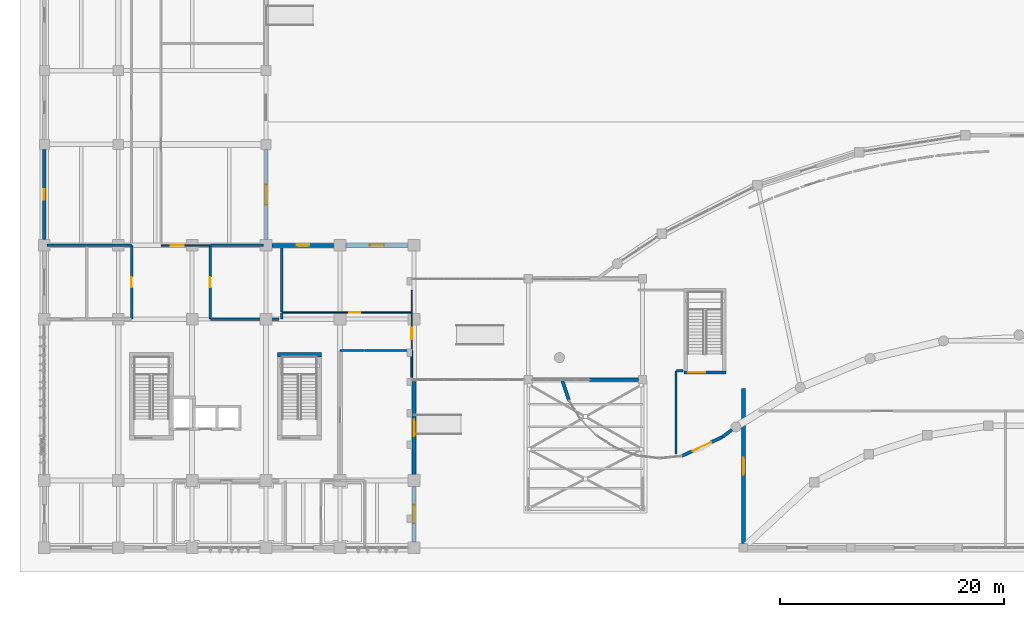
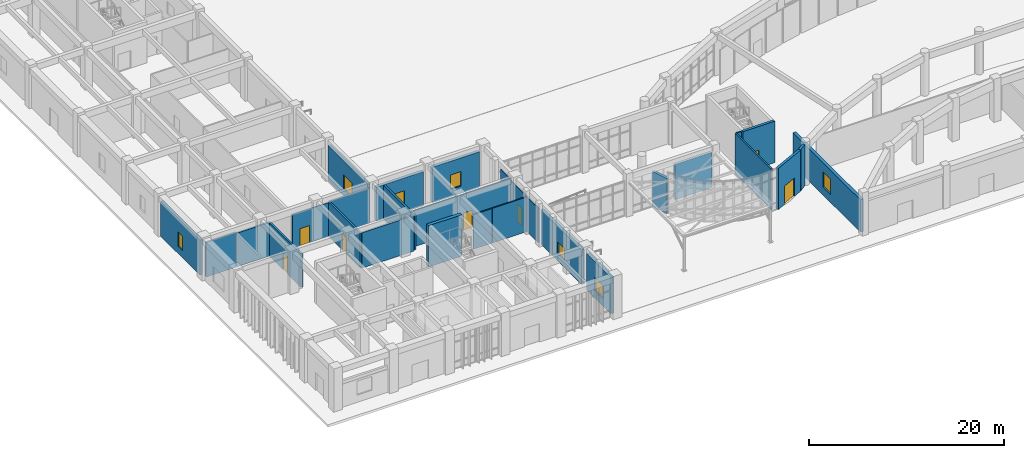
# One storey, part 49 of 70: 30 walls, 7 doors, 7 windows, 14 openings.
"""IFC4 building model written with IfcOpenShell, lengths in metres."""

from ifc_helpers import new_model, si_unit, direction, frame, frame_2d, origin, place, context, subcontext, project, spatial, rectangle, extrude, material, layer, layer_set, type_object, element, fill, save


model = new_model("IFC4")

# Units and contexts
model_context = context("Model", 3, precision=1e-05, world=origin(), true_north=direction((0.0, 1.0)))
body_context = subcontext(model_context, "Body", "Model", "MODEL_VIEW")
ifc_project = project(units=[si_unit("LENGTHUNIT", "METRE"), si_unit("AREAUNIT", "SQUARE_METRE"), si_unit("VOLUMEUNIT", "CUBIC_METRE"), si_unit("PLANEANGLEUNIT", "RADIAN"), si_unit("MASSUNIT", "GRAM", prefix="KILO")], contexts=[model_context])

# Site, building, storey
site_placement = place(None, origin())
site = spatial("IfcSite", under=ifc_project, at=site_placement, CompositionType="ELEMENT")
building_placement = place(site_placement, origin())
building = spatial("IfcBuilding", under=site, at=building_placement, Name="Miralva Faculty of Natural Sciences", CompositionType="ELEMENT")
storey_placement = place(building_placement, origin())
storey = spatial("IfcBuildingStorey", under=building, at=storey_placement, Name="L00", CompositionType="ELEMENT", Elevation=0.0)

# Wall
ifc_material_1 = material(Name="Concrete C50/60", Category="concrete")
ifc_layer_1 = layer(ifc_material_1, 0.39990234375, Name="WL-CW01")
ifc_layer_set_1 = layer_set([ifc_layer_1], Name="Concrete C50/60")
wall_type_1 = type_object("IfcWallType", Name="WL-CW01", PredefinedType="SHEAR", material=ifc_layer_set_1)
wall_1_placement = place(storey_placement, frame((23.800048828125, 20.25, 0.0), z_axis=(0.0, 0.0, 1.0), x_axis=(1.0, 0.0, 0.0)))
element("IfcWall", 1, at=wall_1_placement, inside=storey, type_object=wall_type_1, Name="Core C1B shear wall north L00", PredefinedType="SHEAR", context=body_context, shape_type="SweptSolid", body=[
    extrude(rectangle(XDim=3.949951171875, YDim=0.39990234375, at=frame_2d((1.97509765625, 0.0))), origin(), (0.0, 0.0, 1.0), 5.179931640625),
])

# Wall, opening, door
ifc_material_2 = material(Name="Concrete C40/50", Category="concrete")
ifc_layer_2 = layer(ifc_material_2, 0.300048828125, Name="WL-CW03")
ifc_layer_set_2 = layer_set([ifc_layer_2], Name="Concrete C40/50")
wall_type_2 = type_object("IfcWallType", Name="WL-CW03", PredefinedType="SHEAR", material=ifc_layer_set_2)
wall_2_placement = place(storey_placement, frame((60.10009765625, 18.64990234375, 0.0), z_axis=(0.0, 0.0, 1.0), x_axis=(1.0, 0.0, 0.0)))
wall_2 = element("IfcWall", 2, at=wall_2_placement, inside=storey, type_object=wall_type_2, Name="Core C6 shear wall south L00", PredefinedType="SHEAR", context=body_context, shape_type="SweptSolid", body=[
    extrude(rectangle(XDim=3.75, YDim=0.300048828125, at=frame_2d((1.875, 0.0))), origin(), (0.0, 0.0, 1.0), 5.179931640625),
])
opening_1_placement = place(wall_2_placement, frame((0.39990234375, 0.0, 0.0)))
opening_1 = element("IfcOpeningElement", 3, at=opening_1_placement, cuts=wall_2, Name="Opening D-11", PredefinedType="OPENING", context=body_context, shape_type="SweptSolid", body=[
    extrude(rectangle(XDim=1.5, YDim=2.199951171875, at=frame_2d((0.75, 1.10009765625))), frame((0.0, 0.159912109375, 0.0), z_axis=(0.0, -1.0, 0.0), x_axis=(1.0, 0.0, 0.0)), (0.0, 0.0, 1.0), 0.320068359375),
])
ifc_material_3 = material(Name="Galvanised steel", Category="steel")
door_type_1 = type_object("IfcDoorType", Name="DR-DI11", OperationType="DOUBLE_DOOR_SINGLE_SWING", PredefinedType="DOOR", material=ifc_material_3)
door_1_placement = place(opening_1_placement, frame((1.5, 0.0, 0.0), z_axis=(0.0, 0.0, 1.0), x_axis=(-1.0, 0.0, 0.0)))
door_1 = element("IfcDoor", 4, at=door_1_placement, inside=storey, type_object=door_type_1, Name="Protected exit stair door Core C6 L00", OperationType="DOUBLE_DOOR_SINGLE_SWING", OverallHeight=2.199951171875, OverallWidth=1.5, PredefinedType="DOOR", context=body_context, shape_type="SweptSolid", body=[
    extrude(rectangle(XDim=1.5, YDim=2.199951171875, at=frame_2d((0.75, 1.10009765625))), frame((0.0, 0.02490234375, 0.0), z_axis=(0.0, -1.0, 0.0), x_axis=(1.0, 0.0, 0.0)), (0.0, 0.0, 1.0), 0.050048828125),
])
fill(opening_1, door_1)

# Walls
ifc_material_4 = material(Name="Gypsum plasterboard")
ifc_layer_3 = layer(ifc_material_4, 0.179931640625, Name="WL-PT02")
ifc_layer_set_3 = layer_set([ifc_layer_3], Name="Gypsum plasterboard")
wall_type_3 = type_object("IfcWallType", Name="WL-PT02", PredefinedType="PARTITIONING", material=ifc_layer_set_3)
wall_3_placement = place(storey_placement, frame((59.39990234375, 11.382568359375, 0.0), z_axis=(0.0, 0.0, 1.0), x_axis=(0.0, 1.0, 0.0)))
element("IfcWall", 5, at=wall_3_placement, inside=storey, type_object=wall_type_3, Name="Interior partition PT-02 L00-67", PredefinedType="PARTITIONING", context=body_context, shape_type="SweptSolid", body=[
    extrude(rectangle(XDim=7.387451171875, YDim=0.179931640625, at=frame_2d((3.69384765625, 0.0))), origin(), (0.0, 0.0, 1.0), 5.080078125),
])
wall_4_placement = place(storey_placement, frame((59.429931640625, 18.800048828125, 0.0), z_axis=(0.0, 0.0, 1.0), x_axis=(1.0, 0.0, 0.0)))
element("IfcWall", 6, at=wall_4_placement, inside=storey, type_object=wall_type_3, Name="Interior partition PT-02 L00-68", PredefinedType="PARTITIONING", context=body_context, shape_type="SweptSolid", body=[
    extrude(rectangle(XDim=0.590087890625, YDim=0.179931640625, at=frame_2d((0.294921875, 0.0))), origin(), (0.0, 0.0, 1.0), 5.080078125),
])
ifc_layer_4 = layer(ifc_material_4, 0.159912109375, Name="WL-PT03")
ifc_layer_set_4 = layer_set([ifc_layer_4], Name="Gypsum plasterboard")
wall_type_4 = type_object("IfcWallType", Name="WL-PT03", PredefinedType="PARTITIONING", material=ifc_layer_set_4)
wall_5_placement = place(storey_placement, frame((29.429931640625, 20.60009765625, 0.0), z_axis=(0.0, 0.0, 1.0), x_axis=(1.0, 0.0, 0.0)))
element("IfcWall", 7, at=wall_5_placement, inside=storey, type_object=wall_type_4, Name="Interior partition PT-03 L00-46", PredefinedType="PARTITIONING", context=body_context, shape_type="SweptSolid", body=[
    extrude(rectangle(XDim=2.14013671875, YDim=0.159912109375, at=frame_2d((1.070068359375, 0.0))), origin(), (0.0, 0.0, 1.0), 4.324951171875),
])
wall_6_placement = place(storey_placement, frame((31.6298828125, 20.60009765625, 0.0), z_axis=(0.0, 0.0, 1.0), x_axis=(1.0, 0.0, 0.0)))
element("IfcWall", 8, at=wall_6_placement, inside=storey, type_object=wall_type_4, Name="Interior partition PT-03 L00-47", PredefinedType="PARTITIONING", context=body_context, shape_type="SweptSolid", body=[
    extrude(rectangle(XDim=4.14013671875, YDim=0.159912109375, at=frame_2d((2.070068359375, 0.0))), origin(), (0.0, 0.0, 1.0), 4.324951171875),
])
wall_7_placement = place(storey_placement, frame((35.800048828125, 18.22998046875, 0.0), z_axis=(0.0, 0.0, 1.0), x_axis=(0.0, 1.0, 0.0)))
element("IfcWall", 9, at=wall_7_placement, inside=storey, type_object=wall_type_4, Name="Interior partition PT-03 L00-48", PredefinedType="PARTITIONING", context=body_context, shape_type="SweptSolid", body=[
    extrude(rectangle(XDim=2.340087890625, YDim=0.159912109375, at=frame_2d((1.169921875, 0.0))), origin(), (0.0, 0.0, 1.0), 4.324951171875),
])

# Wall, opening, door
ifc_layer_5 = layer(ifc_material_4, 0.139892578125, Name="WL-PT04")
ifc_layer_set_5 = layer_set([ifc_layer_5], Name="Gypsum plasterboard")
wall_type_5 = type_object("IfcWallType", Name="WL-PT04", PredefinedType="PARTITIONING", material=ifc_layer_set_5)
wall_8_placement = place(storey_placement, frame((13.429931640625, 30.0, 0.0), z_axis=(0.0, 0.0, 1.0), x_axis=(1.0, 0.0, 0.0)))
wall_8 = element("IfcWall", 10, at=wall_8_placement, inside=storey, type_object=wall_type_5, Name="Interior partition PT-04 L00-63", PredefinedType="PARTITIONING", context=body_context, shape_type="SweptSolid", body=[
    extrude(rectangle(XDim=4.340087890625, YDim=0.139892578125, at=frame_2d((2.169921875, 0.0))), origin(), (0.0, 0.0, 1.0), 4.215087890625),
])
opening_2_placement = place(wall_8_placement, frame((0.875, 0.0, 0.0)))
opening_2 = element("IfcOpeningElement", 11, at=opening_2_placement, cuts=wall_8, Name="Opening D-24", PredefinedType="OPENING", context=body_context, shape_type="SweptSolid", body=[
    extrude(rectangle(XDim=1.14990234375, YDim=2.14990234375, at=frame_2d((0.574951171875, 1.074951171875))), frame((0.0, 0.079833984375, 0.0), z_axis=(0.0, -1.0, 0.0), x_axis=(1.0, 0.0, 0.0)), (0.0, 0.0, 1.0), 0.159912109375),
])
ifc_material_5 = material(Name="Anodised aluminium", Category="aluminium")
door_type_2 = type_object("IfcDoorType", Name="DR-DI24", OperationType="NOTDEFINED", PredefinedType="DOOR", material=ifc_material_5)
door_2_placement = place(opening_2_placement, origin())
door_2 = element("IfcDoor", 12, at=door_2_placement, inside=storey, type_object=door_type_2, Name="Interior door D-24 L00-27", OperationType="SINGLE_SWING_RIGHT", OverallHeight=2.14990234375, OverallWidth=1.14990234375, PredefinedType="DOOR", context=body_context, shape_type="SweptSolid", body=[
    extrude(rectangle(XDim=1.14990234375, YDim=2.14990234375, at=frame_2d((0.574951171875, 1.074951171875))), frame((0.0, 0.02490234375, 0.0), z_axis=(0.0, -1.0, 0.0), x_axis=(1.0, 0.0, 0.0)), (0.0, 0.0, 1.0), 0.050048828125),
])
fill(opening_2, door_2)

ifc_layer_6 = layer(ifc_material_4, 0.125, Name="WL-PT05")
ifc_layer_set_6 = layer_set([ifc_layer_6], Name="Gypsum plasterboard")
wall_type_6 = type_object("IfcWallType", Name="WL-PT05", PredefinedType="PARTITIONING", material=ifc_layer_set_6)
wall_9_placement = place(storey_placement, frame((24.22998046875, 24.0, 0.0), z_axis=(0.0, 0.0, 1.0), x_axis=(1.0, 0.0, 0.0)))
wall_9 = element("IfcWall", 13, at=wall_9_placement, inside=storey, type_object=wall_type_6, Name="Interior partition PT-05 L00-60", PredefinedType="PARTITIONING", context=body_context, shape_type="SweptSolid", body=[
    extrude(rectangle(XDim=11.5400390625, YDim=0.125, at=frame_2d((5.77001953125, 0.0))), origin(), (0.0, 0.0, 1.0), 4.5048828125),
])
opening_3_placement = place(wall_9_placement, frame((5.989990234375, 0.0, 0.0)))
opening_3 = element("IfcOpeningElement", 14, at=opening_3_placement, cuts=wall_9, Name="Opening D-25", PredefinedType="OPENING", context=body_context, shape_type="SweptSolid", body=[
    extrude(rectangle(XDim=1.0, YDim=2.14990234375, at=frame_2d((0.5, 1.074951171875))), frame((0.0, 0.072509765625, 0.0), z_axis=(0.0, -1.0, 0.0), x_axis=(1.0, 0.0, 0.0)), (0.0, 0.0, 1.0), 0.14501953125),
])
door_type_3 = type_object("IfcDoorType", Name="DR-DI25", OperationType="NOTDEFINED", PredefinedType="DOOR", material=ifc_material_5)
door_3_placement = place(opening_3_placement, origin())
door_3 = element("IfcDoor", 15, at=door_3_placement, inside=storey, type_object=door_type_3, Name="Interior door D-25 L00-25", OperationType="SINGLE_SWING_RIGHT", OverallHeight=2.14990234375, OverallWidth=1.0, PredefinedType="DOOR", context=body_context, shape_type="SweptSolid", body=[
    extrude(rectangle(XDim=1.0, YDim=2.14990234375, at=frame_2d((0.5, 1.074951171875))), frame((0.0, 0.02490234375, 0.0), z_axis=(0.0, -1.0, 0.0), x_axis=(1.0, 0.0, 0.0)), (0.0, 0.0, 1.0), 0.050048828125),
])
fill(opening_3, door_3)

# Wall
wall_10_placement = place(storey_placement, frame((35.800048828125, 24.030029296875, 0.0), z_axis=(0.0, 0.0, 1.0), x_axis=(0.0, 1.0, 0.0)))
element("IfcWall", 16, at=wall_10_placement, inside=storey, type_object=wall_type_6, Name="Interior partition PT-05 L00-61", PredefinedType="PARTITIONING", context=body_context, shape_type="SweptSolid", body=[
    extrude(rectangle(XDim=1.93994140625, YDim=0.125, at=frame_2d((0.969970703125, 0.0))), origin(), (0.0, 0.0, 1.0), 4.5048828125),
])

# Wall, opening, door
wall_11_placement = place(storey_placement, frame((35.800048828125, 20.6298828125, 0.0), z_axis=(0.0, 0.0, 1.0), x_axis=(0.0, 1.0, 0.0)))
wall_11 = element("IfcWall", 17, at=wall_11_placement, inside=storey, type_object=wall_type_6, Name="Interior partition PT-05 L00-62", PredefinedType="PARTITIONING", context=body_context, shape_type="SweptSolid", body=[
    extrude(rectangle(XDim=3.340087890625, YDim=0.125, at=frame_2d((1.669921875, 0.0))), origin(), (0.0, 0.0, 1.0), 4.324951171875),
])
opening_4_placement = place(wall_11_placement, frame((0.989990234375, 0.0, 0.0)))
opening_4 = element("IfcOpeningElement", 18, at=opening_4_placement, cuts=wall_11, Name="Opening D-25", PredefinedType="OPENING", context=body_context, shape_type="SweptSolid", body=[
    extrude(rectangle(XDim=1.0, YDim=2.14990234375, at=frame_2d((0.5, 1.074951171875))), frame((0.0, 0.072509765625, 0.0), z_axis=(0.0, -1.0, 0.0), x_axis=(1.0, 0.0, 0.0)), (0.0, 0.0, 1.0), 0.14501953125),
])
door_4_placement = place(opening_4_placement, origin())
door_4 = element("IfcDoor", 19, at=door_4_placement, inside=storey, type_object=door_type_3, Name="Interior door D-25 L00-26", OperationType="SINGLE_SWING_LEFT", OverallHeight=2.14990234375, OverallWidth=1.0, PredefinedType="DOOR", context=body_context, shape_type="SweptSolid", body=[
    extrude(rectangle(XDim=1.0, YDim=2.14990234375, at=frame_2d((0.5, 1.074951171875))), frame((0.0, 0.02490234375, 0.0), z_axis=(0.0, -1.0, 0.0), x_axis=(1.0, 0.0, 0.0)), (0.0, 0.0, 1.0), 0.050048828125),
])
fill(opening_4, door_4)

# Wall
ifc_layer_7 = layer(ifc_material_4, 0.2099609375, Name="WL-PT06")
ifc_layer_set_7 = layer_set([ifc_layer_7], Name="Gypsum plasterboard")
wall_type_7 = type_object("IfcWallType", Name="WL-PT06", PredefinedType="PLUMBINGWALL", material=ifc_layer_set_7)
wall_12_placement = place(storey_placement, frame((3.22998046875, 30.0, 0.0), z_axis=(0.0, 0.0, 1.0), x_axis=(1.0, 0.0, 0.0)))
element("IfcWall", 20, at=wall_12_placement, inside=storey, type_object=wall_type_7, Name="Interior partition PT-06 L00-51", PredefinedType="PLUMBINGWALL", context=body_context, shape_type="SweptSolid", body=[
    extrude(rectangle(XDim=3.5400390625, YDim=0.2099609375, at=frame_2d((1.77001953125, 0.0))), origin(), (0.0, 0.0, 1.0), 4.324951171875),
])

# Wall, opening, door
wall_13_placement = place(storey_placement, frame((10.800048828125, 23.429931640625, 0.0), z_axis=(0.0, 0.0, 1.0), x_axis=(0.0, 1.0, 0.0)))
wall_13 = element("IfcWall", 21, at=wall_13_placement, inside=storey, type_object=wall_type_7, Name="Interior partition PT-06 L00-53", PredefinedType="PLUMBINGWALL", context=body_context, shape_type="SweptSolid", body=[
    extrude(rectangle(XDim=6.5400390625, YDim=0.2099609375, at=frame_2d((3.27001953125, 0.0))), origin(), (0.0, 0.0, 1.0), 4.215087890625),
])
opening_5_placement = place(wall_13_placement, frame((2.81005859375, 0.0, 0.0)))
opening_5 = element("IfcOpeningElement", 22, at=opening_5_placement, cuts=wall_13, Name="Opening D-27", PredefinedType="OPENING", context=body_context, shape_type="SweptSolid", body=[
    extrude(rectangle(XDim=0.919921875, YDim=2.10009765625, at=frame_2d((0.4599609375, 1.050048828125))), frame((0.0, 0.114990234375, 0.0), z_axis=(0.0, -1.0, 0.0), x_axis=(1.0, 0.0, 0.0)), (0.0, 0.0, 1.0), 0.22998046875),
])
door_type_4 = type_object("IfcDoorType", Name="DR-DI27", OperationType="NOTDEFINED", PredefinedType="DOOR", material=ifc_material_5)
door_5_placement = place(opening_5_placement, origin())
door_5 = element("IfcDoor", 23, at=door_5_placement, inside=storey, type_object=door_type_4, Name="Interior door D-27 L00-23", OperationType="SINGLE_SWING_RIGHT", OverallHeight=2.10009765625, OverallWidth=0.919921875, PredefinedType="DOOR", context=body_context, shape_type="SweptSolid", body=[
    extrude(rectangle(XDim=0.919921875, YDim=2.10009765625, at=frame_2d((0.4599609375, 1.050048828125))), frame((0.0, 0.02490234375, 0.0), z_axis=(0.0, -1.0, 0.0), x_axis=(1.0, 0.0, 0.0)), (0.0, 0.0, 1.0), 0.050048828125),
])
fill(opening_5, door_5)

# Walls
wall_14_placement = place(storey_placement, frame((6.830078125, 30.0, 0.0), z_axis=(0.0, 0.0, 1.0), x_axis=(1.0, 0.0, 0.0)))
element("IfcWall", 24, at=wall_14_placement, inside=storey, type_object=wall_type_7, Name="Interior partition PT-06 L00-54", PredefinedType="PLUMBINGWALL", context=body_context, shape_type="SweptSolid", body=[
    extrude(rectangle(XDim=3.93994140625, YDim=0.2099609375, at=frame_2d((1.969970703125, 0.0))), origin(), (0.0, 0.0, 1.0), 4.215087890625),
])
wall_15_placement = place(storey_placement, frame((24.199951171875, 24.030029296875, 0.0), z_axis=(0.0, 0.0, 1.0), x_axis=(0.0, 1.0, 0.0)))
element("IfcWall", 25, at=wall_15_placement, inside=storey, type_object=wall_type_7, Name="Interior partition PT-06 L00-55", PredefinedType="PLUMBINGWALL", context=body_context, shape_type="SweptSolid", body=[
    extrude(rectangle(XDim=5.739990234375, YDim=0.2099609375, at=frame_2d((2.8701171875, 0.0))), origin(), (0.0, 0.0, 1.0), 4.2548828125),
])
wall_16_placement = place(storey_placement, frame((24.199951171875, 23.429931640625, 0.0), z_axis=(0.0, 0.0, 1.0), x_axis=(0.0, 1.0, 0.0)))
element("IfcWall", 26, at=wall_16_placement, inside=storey, type_object=wall_type_7, Name="Interior partition PT-06 L00-56", PredefinedType="PLUMBINGWALL", context=body_context, shape_type="SweptSolid", body=[
    extrude(rectangle(XDim=0.5400390625, YDim=0.2099609375, at=frame_2d((0.27001953125, 0.0))), origin(), (0.0, 0.0, 1.0), 4.425048828125),
])

# Wall, opening, door
wall_17_placement = place(storey_placement, frame((17.800048828125, 23.429931640625, 0.0), z_axis=(0.0, 0.0, 1.0), x_axis=(0.0, 1.0, 0.0)))
wall_17 = element("IfcWall", 27, at=wall_17_placement, inside=storey, type_object=wall_type_7, Name="Interior partition PT-06 L00-57", PredefinedType="PLUMBINGWALL", context=body_context, shape_type="SweptSolid", body=[
    extrude(rectangle(XDim=6.5400390625, YDim=0.2099609375, at=frame_2d((3.27001953125, 0.0))), origin(), (0.0, 0.0, 1.0), 4.324951171875),
])
opening_6_placement = place(wall_17_placement, frame((2.81005859375, 0.0, 0.0)))
opening_6 = element("IfcOpeningElement", 28, at=opening_6_placement, cuts=wall_17, Name="Opening D-27", PredefinedType="OPENING", context=body_context, shape_type="SweptSolid", body=[
    extrude(rectangle(XDim=0.919921875, YDim=2.10009765625, at=frame_2d((0.4599609375, 1.050048828125))), frame((0.0, 0.114990234375, 0.0), z_axis=(0.0, -1.0, 0.0), x_axis=(1.0, 0.0, 0.0)), (0.0, 0.0, 1.0), 0.22998046875),
])
door_6_placement = place(opening_6_placement, origin())
door_6 = element("IfcDoor", 29, at=door_6_placement, inside=storey, type_object=door_type_4, Name="Interior door D-27 L00-24", OperationType="SINGLE_SWING_LEFT", OverallHeight=2.10009765625, OverallWidth=0.919921875, PredefinedType="DOOR", context=body_context, shape_type="SweptSolid", body=[
    extrude(rectangle(XDim=0.919921875, YDim=2.10009765625, at=frame_2d((0.4599609375, 1.050048828125))), frame((0.0, 0.02490234375, 0.0), z_axis=(0.0, -1.0, 0.0), x_axis=(1.0, 0.0, 0.0)), (0.0, 0.0, 1.0), 0.050048828125),
])
fill(opening_6, door_6)

# Walls
wall_18_placement = place(storey_placement, frame((17.830078125, 23.39990234375, 0.0), z_axis=(0.0, 0.0, 1.0), x_axis=(1.0, 0.0, 0.0)))
element("IfcWall", 30, at=wall_18_placement, inside=storey, type_object=wall_type_7, Name="Interior partition PT-06 L00-58", PredefinedType="PLUMBINGWALL", context=body_context, shape_type="SweptSolid", body=[
    extrude(rectangle(XDim=6.139892578125, YDim=0.2099609375, at=frame_2d((3.06982421875, 0.0))), origin(), (0.0, 0.0, 1.0), 4.425048828125),
])
wall_19_placement = place(storey_placement, frame((17.830078125, 30.0, 0.0), z_axis=(0.0, 0.0, 1.0), x_axis=(1.0, 0.0, 0.0)))
element("IfcWall", 31, at=wall_19_placement, inside=storey, type_object=wall_type_7, Name="Interior partition PT-06 L00-59", PredefinedType="PLUMBINGWALL", context=body_context, shape_type="SweptSolid", body=[
    extrude(rectangle(XDim=4.739990234375, YDim=0.2099609375, at=frame_2d((2.3701171875, 0.0))), origin(), (0.0, 0.0, 1.0), 4.324951171875),
])

# Wall, opening, window
ifc_material_6 = material(Name="Volcanic tuff architectural stone", Category="masonry")
ifc_layer_8 = layer(ifc_material_6, 0.360107421875, Name="WL-WT01")
ifc_layer_set_8 = layer_set([ifc_layer_8], Name="Volcanic tuff architectural stone")
wall_type_8 = type_object("IfcWallType", Name="WL-WT01", PredefinedType="SOLIDWALL", material=ifc_layer_set_8)
wall_20_placement = place(storey_placement, frame((65.39990234375, 3.364990234375, 0.0), z_axis=(0.0, 0.0, 1.0), x_axis=(0.0, 1.0, 0.0)))
wall_20 = element("IfcWall", 32, at=wall_20_placement, inside=storey, type_object=wall_type_8, Name="Exterior wall L00-57", PredefinedType="SOLIDWALL", context=body_context, shape_type="SweptSolid", body=[
    extrude(rectangle(XDim=13.8349609375, YDim=0.360107421875, at=frame_2d((6.91748046875, 0.0))), origin(), (0.0, 0.0, 1.0), 4.044921875),
])
opening_7_placement = place(wall_20_placement, frame((6.16748046875, 0.0, 1.0)))
opening_7 = element("IfcOpeningElement", 33, at=opening_7_placement, cuts=wall_20, Name="Opening W-06", PredefinedType="OPENING", context=body_context, shape_type="SweptSolid", body=[
    extrude(rectangle(XDim=1.5, YDim=1.89990234375, at=frame_2d((0.75, 0.949951171875))), frame((0.0, 0.18994140625, 0.0), z_axis=(0.0, -1.0, 0.0), x_axis=(1.0, 0.0, 0.0)), (0.0, 0.0, 1.0), 0.380126953125),
])
ifc_material_7 = material(Name="Laminated solar-control glass", Category="glass")
window_type_1 = type_object("IfcWindowType", Name="WN-W06", PartitioningType="DOUBLE_PANEL_VERTICAL", PredefinedType="WINDOW", material=ifc_material_7)
window_1_placement = place(opening_7_placement, origin())
window_1 = element("IfcWindow", 34, at=window_1_placement, inside=storey, type_object=window_type_1, Name="Window W-06 L00-6", OverallHeight=1.89990234375, OverallWidth=1.5, PartitioningType="DOUBLE_PANEL_VERTICAL", PredefinedType="WINDOW", context=body_context, shape_type="SweptSolid", body=[
    extrude(rectangle(XDim=1.5, YDim=1.89990234375, at=frame_2d((0.75, 0.949951171875))), frame((0.0, 0.030029296875, 0.0), z_axis=(0.0, -1.0, 0.0), x_axis=(1.0, 0.0, 0.0)), (0.0, 0.0, 1.0), 0.06005859375),
])
fill(opening_7, window_1)

wall_21_placement = place(storey_placement, frame((36.0, 3.5048828125, 0.0), z_axis=(0.0, 0.0, 1.0), x_axis=(0.0, 1.0, 0.0)))
wall_21 = element("IfcWall", 35, at=wall_21_placement, inside=storey, type_object=wall_type_8, Name="Exterior wall L00-66", PredefinedType="SOLIDWALL", context=body_context, shape_type="SweptSolid", body=[
    extrude(rectangle(XDim=4.980224609375, YDim=0.360107421875, at=frame_2d((2.490234375, 0.0))), origin(), (0.0, 0.0, 1.0), 4.52490234375),
])
opening_8_placement = place(wall_21_placement, frame((1.6650390625, 0.0, 0.89990234375)))
opening_8 = element("IfcOpeningElement", 36, at=opening_8_placement, cuts=wall_21, Name="Opening W-18", PredefinedType="OPENING", context=body_context, shape_type="SweptSolid", body=[
    extrude(rectangle(XDim=1.64990234375, YDim=1.64990234375, at=frame_2d((0.824951171875, 0.824951171875))), frame((0.0, 0.18994140625, 0.0), z_axis=(0.0, -1.0, 0.0), x_axis=(1.0, 0.0, 0.0)), (0.0, 0.0, 1.0), 0.380126953125),
])
window_type_2 = type_object("IfcWindowType", Name="WN-W18", PartitioningType="SINGLE_PANEL", PredefinedType="WINDOW", material=ifc_material_7)
window_2_placement = place(opening_8_placement, frame((1.64990234375, 0.0, 0.0), z_axis=(0.0, 0.0, 1.0), x_axis=(-1.0, 0.0, 0.0)))
window_2 = element("IfcWindow", 37, at=window_2_placement, inside=storey, type_object=window_type_2, Name="Window W-18 L00-12", OverallHeight=1.64990234375, OverallWidth=1.64990234375, PartitioningType="SINGLE_PANEL", PredefinedType="WINDOW", context=body_context, shape_type="SweptSolid", body=[
    extrude(rectangle(XDim=1.64990234375, YDim=1.64990234375, at=frame_2d((0.824951171875, 0.824951171875))), frame((0.0, 0.030029296875, 0.0), z_axis=(0.0, -1.0, 0.0), x_axis=(1.0, 0.0, 0.0)), (0.0, 0.0, 1.0), 0.06005859375),
])
fill(opening_8, window_2)

wall_22_placement = place(storey_placement, frame((36.0, 9.514892578125, 0.0), z_axis=(0.0, 0.0, 1.0), x_axis=(0.0, 1.0, 0.0)))
wall_22 = element("IfcWall", 38, at=wall_22_placement, inside=storey, type_object=wall_type_8, Name="Exterior wall L00-67", PredefinedType="SOLIDWALL", context=body_context, shape_type="SweptSolid", body=[
    extrude(rectangle(XDim=8.335205078125, YDim=0.360107421875, at=frame_2d((4.16748046875, 0.0))), origin(), (0.0, 0.0, 1.0), 4.324951171875),
])
opening_9_placement = place(wall_22_placement, frame((3.4423828125, 0.0, 0.89990234375)))
opening_9 = element("IfcOpeningElement", 39, at=opening_9_placement, cuts=wall_22, Name="Opening W-19", PredefinedType="OPENING", context=body_context, shape_type="SweptSolid", body=[
    extrude(rectangle(XDim=1.449951171875, YDim=1.5, at=frame_2d((0.72509765625, 0.75))), frame((0.0, 0.18994140625, 0.0), z_axis=(0.0, -1.0, 0.0), x_axis=(1.0, 0.0, 0.0)), (0.0, 0.0, 1.0), 0.380126953125),
])
window_type_3 = type_object("IfcWindowType", Name="WN-W19", PartitioningType="SINGLE_PANEL", PredefinedType="WINDOW", material=ifc_material_7)
window_3_placement = place(opening_9_placement, frame((1.449951171875, 0.0, 0.0), z_axis=(0.0, 0.0, 1.0), x_axis=(-1.0, 0.0, 0.0)))
window_3 = element("IfcWindow", 40, at=window_3_placement, inside=storey, type_object=window_type_3, Name="Window W-19 L00-13", OverallHeight=1.5, OverallWidth=1.449951171875, PartitioningType="SINGLE_PANEL", PredefinedType="WINDOW", context=body_context, shape_type="SweptSolid", body=[
    extrude(rectangle(XDim=1.449951171875, YDim=1.5, at=frame_2d((0.72509765625, 0.75))), frame((0.0, 0.030029296875, 0.0), z_axis=(0.0, -1.0, 0.0), x_axis=(1.0, 0.0, 0.0)), (0.0, 0.0, 1.0), 0.06005859375),
])
fill(opening_9, window_3)

wall_23_placement = place(storey_placement, frame((23.304931640625, 30.0, 0.0), z_axis=(0.0, 0.0, 1.0), x_axis=(1.0, 0.0, 0.0)))
wall_23 = element("IfcWall", 41, at=wall_23_placement, inside=storey, type_object=wall_type_8, Name="Exterior wall L00-68", PredefinedType="SOLIDWALL", context=body_context, shape_type="SweptSolid", body=[
    extrude(rectangle(XDim=5.580078125, YDim=0.360107421875, at=frame_2d((2.7900390625, 0.0))), origin(), (0.0, 0.0, 1.0), 4.2548828125),
])
opening_10_placement = place(wall_23_placement, frame((2.239990234375, 0.0, 0.89990234375)))
opening_10 = element("IfcOpeningElement", 42, at=opening_10_placement, cuts=wall_23, Name="Opening W-22", PredefinedType="OPENING", context=body_context, shape_type="SweptSolid", body=[
    extrude(rectangle(XDim=1.10009765625, YDim=1.75, at=frame_2d((0.550048828125, 0.875))), frame((0.0, 0.18994140625, 0.0), z_axis=(0.0, -1.0, 0.0), x_axis=(1.0, 0.0, 0.0)), (0.0, 0.0, 1.0), 0.380126953125),
])
window_type_4 = type_object("IfcWindowType", Name="WN-W22", PartitioningType="DOUBLE_PANEL_VERTICAL", PredefinedType="WINDOW", material=ifc_material_7)
window_4_placement = place(opening_10_placement, origin())
window_4 = element("IfcWindow", 43, at=window_4_placement, inside=storey, type_object=window_type_4, Name="Window W-22 L00-14", OverallHeight=1.75, OverallWidth=1.10009765625, PartitioningType="DOUBLE_PANEL_VERTICAL", PredefinedType="WINDOW", context=body_context, shape_type="SweptSolid", body=[
    extrude(rectangle(XDim=1.10009765625, YDim=1.75, at=frame_2d((0.550048828125, 0.875))), frame((0.0, 0.030029296875, 0.0), z_axis=(0.0, -1.0, 0.0), x_axis=(1.0, 0.0, 0.0)), (0.0, 0.0, 1.0), 0.06005859375),
])
fill(opening_10, window_4)

wall_24_placement = place(storey_placement, frame((29.905029296875, 30.0, 0.0), z_axis=(0.0, 0.0, 1.0), x_axis=(1.0, 0.0, 0.0)))
wall_24 = element("IfcWall", 44, at=wall_24_placement, inside=storey, type_object=wall_type_8, Name="Exterior wall L00-69", PredefinedType="SOLIDWALL", context=body_context, shape_type="SweptSolid", body=[
    extrude(rectangle(XDim=5.580078125, YDim=0.360107421875, at=frame_2d((2.7900390625, 0.0))), origin(), (0.0, 0.0, 1.0), 4.425048828125),
])
opening_11_placement = place(wall_24_placement, frame((2.1650390625, 0.0, 0.89990234375)))
opening_11 = element("IfcOpeningElement", 45, at=opening_11_placement, cuts=wall_24, Name="Opening W-23", PredefinedType="OPENING", context=body_context, shape_type="SweptSolid", body=[
    extrude(rectangle(XDim=1.25, YDim=1.800048828125, at=frame_2d((0.625, 0.89990234375))), frame((0.0, 0.18994140625, 0.0), z_axis=(0.0, -1.0, 0.0), x_axis=(1.0, 0.0, 0.0)), (0.0, 0.0, 1.0), 0.380126953125),
])
window_type_5 = type_object("IfcWindowType", Name="WN-W23", PartitioningType="DOUBLE_PANEL_VERTICAL", PredefinedType="WINDOW", material=ifc_material_7)
window_5_placement = place(opening_11_placement, origin())
window_5 = element("IfcWindow", 46, at=window_5_placement, inside=storey, type_object=window_type_5, Name="Window W-23 L00-15", OverallHeight=1.800048828125, OverallWidth=1.25, PartitioningType="DOUBLE_PANEL_VERTICAL", PredefinedType="WINDOW", context=body_context, shape_type="SweptSolid", body=[
    extrude(rectangle(XDim=1.25, YDim=1.800048828125, at=frame_2d((0.625, 0.89990234375))), frame((0.0, 0.030029296875, 0.0), z_axis=(0.0, -1.0, 0.0), x_axis=(1.0, 0.0, 0.0)), (0.0, 0.0, 1.0), 0.06005859375),
])
fill(opening_11, window_5)

ifc_material_8 = material(Name="Precast concrete C40/50", Category="concrete")
ifc_layer_9 = layer(ifc_material_8, 0.320068359375, Name="WL-WT02")
ifc_layer_set_9 = layer_set([ifc_layer_9], Name="Precast concrete C40/50")
wall_type_9 = type_object("IfcWallType", Name="WL-WT02", PredefinedType="SOLIDWALL", material=ifc_layer_set_9)
wall_25_placement = place(storey_placement, frame((3.0, 30.5048828125, 0.0), z_axis=(0.0, 0.0, 1.0), x_axis=(0.0, 1.0, 0.0)))
wall_25 = element("IfcWall", 47, at=wall_25_placement, inside=storey, type_object=wall_type_9, Name="Exterior wall L00-142", PredefinedType="SOLIDWALL", context=body_context, shape_type="SweptSolid", body=[
    extrude(rectangle(XDim=8.06005859375, YDim=0.320068359375, at=frame_2d((4.030029296875, 0.0))), origin(), (0.0, 0.0, 1.0), 4.375),
])
opening_12_placement = place(wall_25_placement, frame((3.580078125, 0.0, 0.89990234375)))
opening_12 = element("IfcOpeningElement", 48, at=opening_12_placement, cuts=wall_25, Name="Opening W-01", PredefinedType="OPENING", context=body_context, shape_type="SweptSolid", body=[
    extrude(rectangle(XDim=0.89990234375, YDim=1.800048828125, at=frame_2d((0.449951171875, 0.89990234375))), frame((0.0, 0.169921875, 0.0), z_axis=(0.0, -1.0, 0.0), x_axis=(1.0, 0.0, 0.0)), (0.0, 0.0, 1.0), 0.340087890625),
])
window_type_6 = type_object("IfcWindowType", Name="WN-W01", PartitioningType="SINGLE_PANEL", PredefinedType="WINDOW", material=ifc_material_7)
window_6_placement = place(opening_12_placement, origin())
window_6 = element("IfcWindow", 49, at=window_6_placement, inside=storey, type_object=window_type_6, Name="Window W-01 L00-85", OverallHeight=1.800048828125, OverallWidth=0.89990234375, PartitioningType="SINGLE_PANEL", PredefinedType="WINDOW", context=body_context, shape_type="SweptSolid", body=[
    extrude(rectangle(XDim=0.89990234375, YDim=1.800048828125, at=frame_2d((0.449951171875, 0.89990234375))), frame((0.0, 0.030029296875, 0.0), z_axis=(0.0, -1.0, 0.0), x_axis=(1.0, 0.0, 0.0)), (0.0, 0.0, 1.0), 0.06005859375),
])
fill(opening_12, window_6)

wall_26_placement = place(storey_placement, frame((22.800048828125, 30.5048828125, 0.0), z_axis=(0.0, 0.0, 1.0), x_axis=(0.0, 1.0, 0.0)))
wall_26 = element("IfcWall", 50, at=wall_26_placement, inside=storey, type_object=wall_type_9, Name="Exterior wall L00-152", PredefinedType="SOLIDWALL", context=body_context, shape_type="SweptSolid", body=[
    extrude(rectangle(XDim=8.06005859375, YDim=0.320068359375, at=frame_2d((4.030029296875, 0.0))), origin(), (0.0, 0.0, 1.0), 4.425048828125),
])
opening_13_placement = place(wall_26_placement, frame((3.1298828125, 0.0, 0.89990234375)))
opening_13 = element("IfcOpeningElement", 51, at=opening_13_placement, cuts=wall_26, Name="Opening W-10", PredefinedType="OPENING", context=body_context, shape_type="SweptSolid", body=[
    extrude(rectangle(XDim=1.800048828125, YDim=1.75, at=frame_2d((0.89990234375, 0.875))), frame((0.0, 0.169921875, 0.0), z_axis=(0.0, -1.0, 0.0), x_axis=(1.0, 0.0, 0.0)), (0.0, 0.0, 1.0), 0.340087890625),
])
window_type_7 = type_object("IfcWindowType", Name="WN-W10", PartitioningType="DOUBLE_PANEL_HORIZONTAL", PredefinedType="WINDOW", material=ifc_material_7)
window_7_placement = place(opening_13_placement, frame((1.800048828125, 0.0, 0.0), z_axis=(0.0, 0.0, 1.0), x_axis=(-1.0, 0.0, 0.0)))
window_7 = element("IfcWindow", 52, at=window_7_placement, inside=storey, type_object=window_type_7, Name="Window W-10 L00-92", OverallHeight=1.75, OverallWidth=1.800048828125, PartitioningType="DOUBLE_PANEL_HORIZONTAL", PredefinedType="WINDOW", context=body_context, shape_type="SweptSolid", body=[
    extrude(rectangle(XDim=1.800048828125, YDim=1.75, at=frame_2d((0.89990234375, 0.875))), frame((0.0, 0.030029296875, 0.0), z_axis=(0.0, -1.0, 0.0), x_axis=(1.0, 0.0, 0.0)), (0.0, 0.0, 1.0), 0.06005859375),
])
fill(opening_13, window_7)

# Wall
ifc_layer_10 = layer(ifc_material_8, 0.2900390625, Name="WL-WT03")
ifc_layer_set_10 = layer_set([ifc_layer_10], Name="Precast concrete C40/50")
wall_type_10 = type_object("IfcWallType", Name="WL-WT03", PredefinedType="SOLIDWALL", material=ifc_layer_set_10)
wall_27_placement = place(storey_placement, frame((63.526611328125, 12.884521484375, 0.0), z_axis=(0.0, 0.0, 1.0), x_axis=(0.798608971494, 0.601850239387, 0.0)))
element("IfcWall", 53, at=wall_27_placement, inside=storey, type_object=wall_type_10, Name="Exterior wall L00-13", PredefinedType="SOLIDWALL", context=body_context, shape_type="SweptSolid", body=[
    extrude(rectangle(XDim=1.07568359375, YDim=0.2900390625, at=frame_2d((0.537841796875, 0.0))), origin(), (0.0, 0.0, 1.0), 5.14990234375),
])

# Wall, opening, door
wall_28_placement = place(storey_placement, frame((59.900634765625, 11.1826171875, 0.0), z_axis=(0.0, 0.0, 1.0), x_axis=(0.905232165322, 0.424917317683, 0.0)))
wall_28 = element("IfcWall", 54, at=wall_28_placement, inside=storey, type_object=wall_type_10, Name="Exterior wall L00-21", PredefinedType="SOLIDWALL", context=body_context, shape_type="SweptSolid", body=[
    extrude(rectangle(XDim=4.010498046875, YDim=0.2900390625, at=frame_2d((2.00537109375, 0.0))), origin(), (0.0, 0.0, 1.0), 5.14990234375),
])
opening_14_placement = place(wall_28_placement, frame((1.105224609375, 0.0, 0.0)))
opening_14 = element("IfcOpeningElement", 55, at=opening_14_placement, cuts=wall_28, Name="Opening D-03", PredefinedType="OPENING", context=body_context, shape_type="SweptSolid", body=[
    extrude(rectangle(XDim=1.800048828125, YDim=2.300048828125, at=frame_2d((0.89990234375, 1.14990234375))), frame((0.0, 0.155029296875, 0.0), z_axis=(0.0, -1.0, 0.0), x_axis=(1.0, 0.0, 0.0)), (0.0, 0.0, 1.0), 0.31005859375),
])
door_type_5 = type_object("IfcDoorType", Name="DR-DE03", OperationType="DOUBLE_DOOR_SINGLE_SWING", PredefinedType="DOOR", material=ifc_material_3)
door_7_placement = place(opening_14_placement, frame((1.800048828125, 0.0, 0.0), z_axis=(0.0, 0.0, 1.0), x_axis=(-1.0, 0.0, 0.0)))
door_7 = element("IfcDoor", 56, at=door_7_placement, inside=storey, type_object=door_type_5, Name="Exterior pedestrian exit door D-03 L00-3", OperationType="DOUBLE_DOOR_SINGLE_SWING", OverallHeight=2.300048828125, OverallWidth=1.800048828125, PredefinedType="DOOR", context=body_context, shape_type="SweptSolid", body=[
    extrude(rectangle(XDim=1.800048828125, YDim=2.300048828125, at=frame_2d((0.89990234375, 1.14990234375))), frame((0.0, 0.02490234375, 0.0), z_axis=(0.0, -1.0, 0.0), x_axis=(1.0, 0.0, 0.0)), (0.0, 0.0, 1.0), 0.050048828125),
])
fill(opening_14, door_7)

# Walls
wall_29_placement = place(storey_placement, frame((49.191650390625, 18.0615234375, 0.0), z_axis=(0.0, 0.0, 1.0), x_axis=(0.32082801478, -0.947137468867, 0.0)))
element("IfcWall", 57, at=wall_29_placement, inside=storey, type_object=wall_type_10, Name="Exterior wall L00-22", PredefinedType="SOLIDWALL", context=body_context, shape_type="SweptSolid", body=[
    extrude(rectangle(XDim=2.020263671875, YDim=0.2900390625, at=frame_2d((1.01025390625, 0.0))), origin(), (0.0, 0.0, 1.0), 4.405029296875),
])
wall_30_placement = place(storey_placement, frame((51.675048828125, 18.0, 0.0), z_axis=(0.0, 0.0, 1.0), x_axis=(1.0, 0.0, 0.0)))
element("IfcWall", 58, at=wall_30_placement, inside=storey, type_object=wall_type_10, Name="Exterior wall L00-351", PredefinedType="SOLIDWALL", context=body_context, shape_type="SweptSolid", body=[
    extrude(rectangle(XDim=4.35986328125, YDim=0.2900390625, at=frame_2d((2.179931640625, 0.0))), origin(), (0.0, 0.0, 1.0), 4.405029296875),
])

save(model, "model.ifc")
